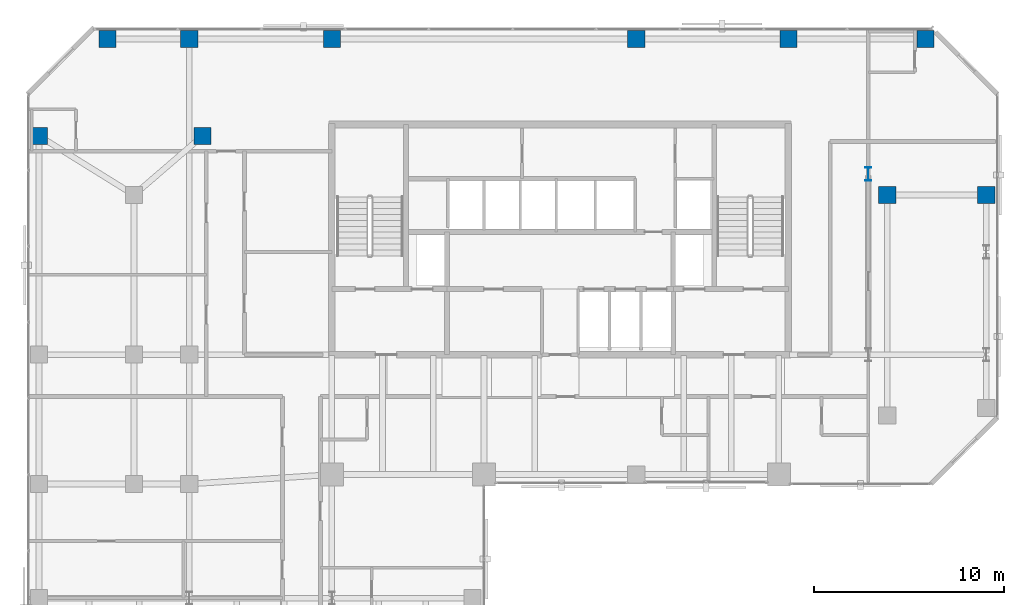
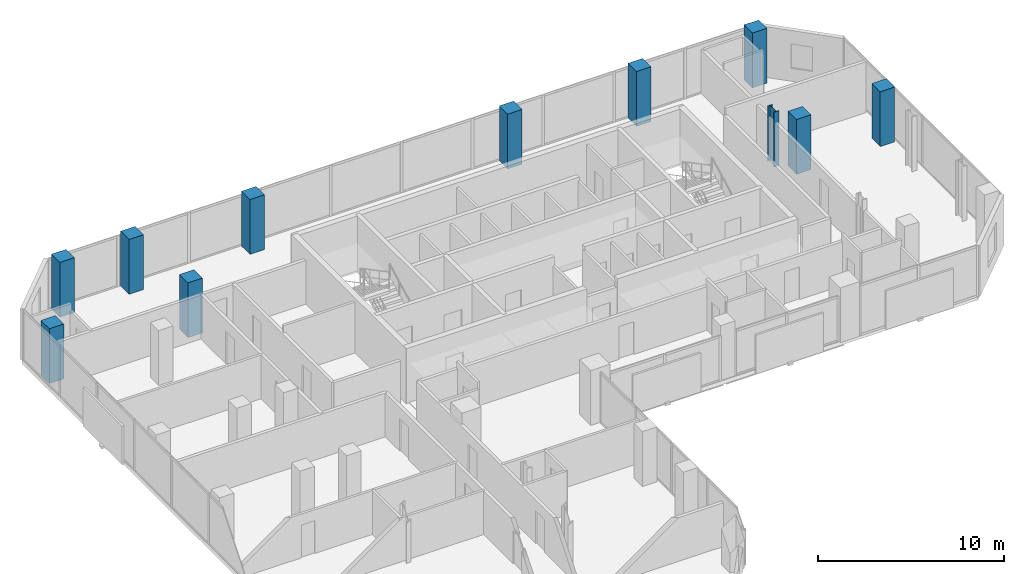
# One storey, part 2 of 33: 11 columns.
"""IFC4 building model written with IfcOpenShell, lengths in metres."""

from ifc_helpers import new_model, si_unit, direction, frame, origin, origin_2d, place, context, subcontext, project, spatial, rectangle, i_section, extrude, material, material_profile, profile_set, type_object, element, save


model = new_model("IFC4")

# Units and contexts
model_context = context("Model", 3, precision=1e-05, world=origin(), true_north=direction((0.0, 1.0)))
body_context = subcontext(model_context, "Body", "Model", "MODEL_VIEW")
ifc_project = project(units=[si_unit("LENGTHUNIT", "METRE"), si_unit("AREAUNIT", "SQUARE_METRE"), si_unit("VOLUMEUNIT", "CUBIC_METRE"), si_unit("PLANEANGLEUNIT", "RADIAN"), si_unit("MASSUNIT", "GRAM", prefix="KILO")], contexts=[model_context])

# Site, building, storey
site_placement = place(None, origin())
site = spatial("IfcSite", under=ifc_project, at=site_placement, CompositionType="ELEMENT")
building_placement = place(site_placement, origin())
building = spatial("IfcBuilding", under=site, at=building_placement, Name="Catumbela Crestline Tower", CompositionType="ELEMENT")
storey_placement = place(building_placement, frame((0.0, 0.0, 104.4)))
storey = spatial("IfcBuildingStorey", under=building, at=storey_placement, Name="L26", CompositionType="ELEMENT", Elevation=104.4)

# Columns
ifc_material_1 = material(Name="Concrete C50/60", Category="concrete")
ifc_material_profile_1 = material_profile(ifc_material_1, rectangle(XDim=0.9, YDim=0.9, at=origin_2d()), Name="RC 900x900")
ifc_profile_set_1 = profile_set([ifc_material_profile_1], Name="Concrete C50/60")
column_type_1 = type_object("IfcColumnType", Name="C-RC900-C50", PredefinedType="COLUMN", material=ifc_profile_set_1)
for number, where, z_axis, x_axis, name in (
    (1, (9.2, 42.3, 0.0), (0.0, 0.0, 1.0), (1.0, 0.0, 0.0), "L26 Column C-08-43 (RC 900x900)"),
    (2, (45.2, 39.2, 0.0), (0.0, 0.0, 1.0), (1.0, 0.0, 0.0), "L26 Column C-46-43 (RC 900x900)"),
    (3, (0.6, 42.3, 0.0), (0.0, 0.0, 1.0), (1.0, 0.0, 0.0), "L26 Column C-00-43 (RC 900x900)"),
    (4, (4.2, 47.4, 0.0), (0.0, 0.0, 1.0), (1.0, 0.0, 0.0), "L26 Column C-00-48 (RC 900x900)"),
    (5, (8.5, 47.4, 0.0), (0.0, 0.0, 1.0), (1.0, 0.0, 0.0), "L26 Column C-08-48 (RC 900x900)"),
    (6, (16.0, 47.4, 0.0), (0.0, 0.0, 1.0), (1.0, 0.0, 0.0), "L26 Column C-16-48 (RC 900x900)"),
    (7, (32.0, 47.4, 0.0), (0.0, 0.0, 1.0), (1.0, 0.0, 0.0), "L26 Column C-32-48 (RC 900x900)"),
    (8, (40.0, 47.4, 0.0), (0.0, 0.0, 1.0), (1.0, 0.0, 0.0), "L26 Column C-40-48 (RC 900x900)"),
    (9, (47.2, 47.4, 0.0), (0.0, 0.0, 1.0), (1.0, 0.0, 0.0), "L26 Column C-48-48 (RC 900x900)"),
    (10, (50.4, 39.2, 0.0), (0.0, 0.0, 1.0), (1.0, 0.0, 0.0), "L26 Column C-51-43 (RC 900x900)"),
):
    element("IfcColumn", number, at=place(storey_placement, frame(where, z_axis=z_axis, x_axis=x_axis)), inside=storey, type_object=column_type_1, Name=name, PredefinedType="COLUMN", context=body_context, shape_type="SweptSolid", body=[
        extrude(rectangle(XDim=0.9, YDim=0.9, at=origin_2d()), origin(), (0.0, 0.0, 1.0), 3.6),
    ])
ifc_material_2 = material(Name="Structural steel S460M", Category="steel")
ifc_material_profile_2 = material_profile(ifc_material_2, i_section(OverallWidth=0.3, OverallDepth=0.7, WebThickness=0.017, FlangeThickness=0.032, FilletRadius=0.027, at=origin_2d()), Name="HEB 700")
ifc_profile_set_2 = profile_set([ifc_material_profile_2], Name="Structural steel S460M")
column_type_2 = type_object("IfcColumnType", Name="C-ST-HEB700", PredefinedType="COLUMN", material=ifc_profile_set_2)
column_placement = place(storey_placement, frame((44.2, 40.3, 0.0), z_axis=(0.0, 0.0, 1.0), x_axis=(1.0, 0.0, 0.0)))
element("IfcColumn", 11, at=column_placement, inside=storey, type_object=column_type_2, Name="L26 Column CT-46-37 (HEB 700)", PredefinedType="COLUMN", context=body_context, shape_type="SweptSolid", body=[
    extrude(i_section(OverallWidth=0.3, OverallDepth=0.7, WebThickness=0.017, FlangeThickness=0.032, FilletRadius=0.027, at=origin_2d()), origin(), (0.0, 0.0, 1.0), 3.6),
])

save(model, "model.ifc")
